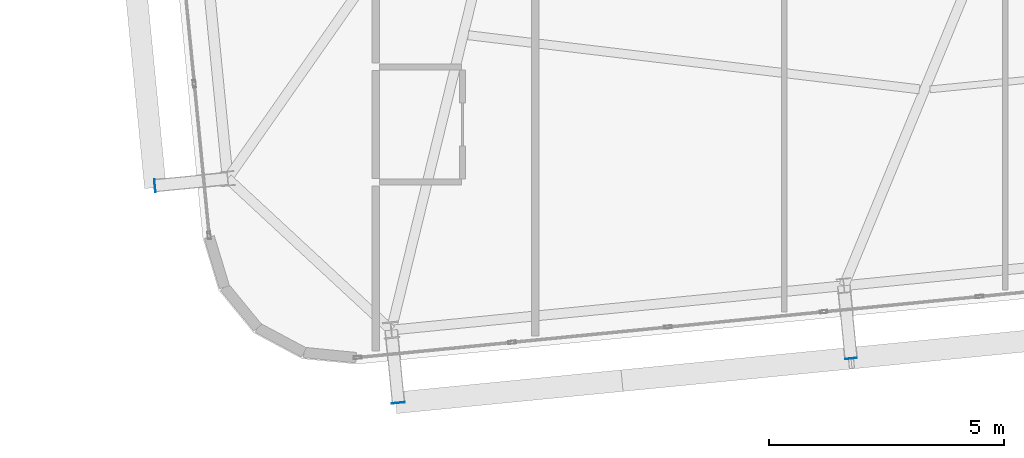
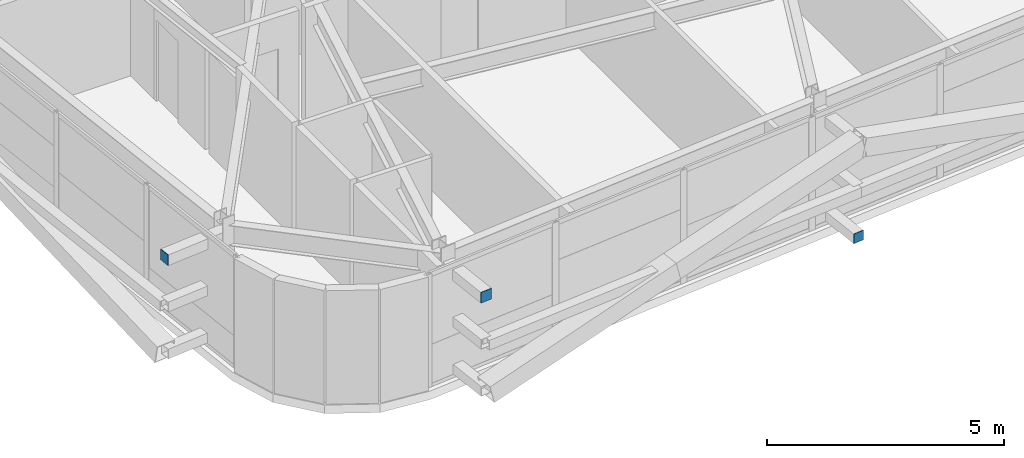
# One storey, part 38 of 54: 3 plates.
"""IFC4 building model written with IfcOpenShell, lengths in metres."""

import ifcopenshell
import ifcopenshell.guid

model = None  # the IFC model being written
_history = None  # IfcOwnerHistory: only IFC2X3 demands one
_inside = {}  # id of a spatial element -> (the spatial element, [elements in it])
_under = {}  # id of a project, library or spatial element -> (it, [spatial elements below it])
_declared = {}  # id of a project -> (the project, [libraries it declares])
_typed = {}  # id of a type object -> (the type object, [elements of that type])
_made_of = {}  # id of a material, layer set ... -> (it, [elements and type objects made of it])


def new_model(schema):
    """Start an empty IFC model of exactly this schema.

    Asked for "IFC4X3", IfcOpenShell would pick the latest addendum, in which some entities
    have other attributes; the version numbers below select the first issue.
    IFC2X3 requires an IfcOwnerHistory on every rooted entity: one is made here for all.
    """
    global model, _history
    if schema == "IFC4X3":
        model = ifcopenshell.file(schema_version=(4, 3, 0, 0))
    else:
        model = ifcopenshell.file(schema=schema)
    _inside.clear()
    _under.clear()
    _declared.clear()
    _typed.clear()
    _made_of.clear()
    _history = None
    if model.schema == "IFC2X3":
        org = make("IfcOrganization", Name="unknown")
        user = make(
            "IfcPersonAndOrganization",
            ThePerson=make("IfcPerson", FamilyName="unknown"),
            TheOrganization=org,
        )
        app = make(
            "IfcApplication",
            ApplicationDeveloper=org,
            Version="unknown",
            ApplicationFullName="unknown",
            ApplicationIdentifier="unknown",
        )
        _history = make(
            "IfcOwnerHistory",
            OwningUser=user,
            OwningApplication=app,
            ChangeAction="ADDED",
            CreationDate=0,
        )
    return model


def make(cls, **values):
    """One entity of the class cls with the attributes given. An attribute that is None is left unset."""
    return model.create_entity(
        cls, **{name: value for name, value in values.items() if value is not None}
    )


def rooted(cls, **values):
    """An entity with a GlobalId (a new one), such as an element, a storey or a relation."""
    return make(cls, GlobalId=ifcopenshell.guid.new(), OwnerHistory=_history, **values)


def si_unit(unit_type, name, prefix=None):
    """IfcSIUnit, for example si_unit("LENGTHUNIT", "METRE", prefix="MILLI")."""
    return make("IfcSIUnit", UnitType=unit_type, Prefix=prefix, Name=name)


def assignment(units):
    """IfcUnitAssignment: the units of a project."""
    return None if units is None else make("IfcUnitAssignment", Units=units)


def point(xyz):
    """IfcCartesianPoint."""
    return None if xyz is None else make("IfcCartesianPoint", Coordinates=xyz)


def direction(xyz):
    """IfcDirection."""
    return None if xyz is None else make("IfcDirection", DirectionRatios=xyz)


def frame(location, z_axis=None, x_axis=None):
    """IfcAxis2Placement3D, a coordinate frame: its origin and axes. An axis left out is left unset."""
    return make(
        "IfcAxis2Placement3D",
        Location=point(location),
        Axis=direction(z_axis),
        RefDirection=direction(x_axis),
    )


def frame_2d(location, x_axis=None):
    """IfcAxis2Placement2D, a coordinate frame in the plane: its origin and x axis."""
    return make(
        "IfcAxis2Placement2D", Location=point(location), RefDirection=direction(x_axis)
    )


def origin():
    """The frame at (0, 0, 0) with its axes left unset."""
    return frame((0.0, 0.0, 0.0))


def origin_2d():
    """The frame at (0, 0) in the plane with its x axis left unset."""
    return frame_2d((0.0, 0.0))


def place(relative_to, where):
    """IfcLocalPlacement: puts the frame where relative to a parent placement (None: the world)."""
    return make(
        "IfcLocalPlacement", PlacementRelTo=relative_to, RelativePlacement=where
    )


def context(
    kind, dimensions, precision=None, world=None, true_north=None, identifier=None
):
    """IfcGeometricRepresentationContext, for example the 3D "Model" context."""
    return make(
        "IfcGeometricRepresentationContext",
        ContextIdentifier=identifier,
        ContextType=kind,
        CoordinateSpaceDimension=dimensions,
        Precision=precision,
        WorldCoordinateSystem=world,
        TrueNorth=true_north,
    )


def subcontext(parent, identifier, kind, view, scale=None):
    """IfcGeometricRepresentationSubContext, for example "Body" below "Model"."""
    return make(
        "IfcGeometricRepresentationSubContext",
        ContextIdentifier=identifier,
        ContextType=kind,
        ParentContext=parent,
        TargetScale=scale,
        TargetView=view,
    )


def project(units=None, contexts=None):
    """IfcProject with its units and contexts."""
    return rooted(
        "IfcProject",
        Name="project",
        RepresentationContexts=contexts,
        UnitsInContext=assignment(units),
    )


def spatial(cls, under=None, at=None, **own):
    """A site, building, storey or space (cls), placed at a placement, below another one or the project."""
    s = rooted(cls, ObjectPlacement=at, **own)
    if under is not None:
        _under.setdefault(under.id(), (under, []))[1].append(s)
    return s


def profile(cls, at=None, kind="AREA", **sizes):
    """A parametric profile (cls). Its sizes go by their IFC names, for example OverallWidth=200.0."""
    return make(cls, ProfileType=kind, Position=at, **sizes)


def rectangle(**sizes):
    """IfcRectangleProfileDef."""
    return profile("IfcRectangleProfileDef", **sizes)


def extrude(swept, where, along, depth):
    """IfcExtrudedAreaSolid: the profile swept, set in the frame where, extruded along a direction by depth."""
    return make(
        "IfcExtrudedAreaSolid",
        SweptArea=swept,
        Position=where,
        ExtrudedDirection=direction(along),
        Depth=depth,
    )


def shape(context_of_items, identifier, shape_type, items):
    """IfcShapeRepresentation: the items that make up one representation, for example the "Body"."""
    return make(
        "IfcShapeRepresentation",
        ContextOfItems=context_of_items,
        RepresentationIdentifier=identifier,
        RepresentationType=shape_type,
        Items=items,
    )


def source(mapping_origin, context_of_items, identifier, shape_type, items):
    """IfcRepresentationMap: a shape defined once, which mapped items show again and again."""
    return make(
        "IfcRepresentationMap",
        MappingOrigin=mapping_origin,
        MappedRepresentation=shape(context_of_items, identifier, shape_type, items),
    )


def transform(
    local_origin,
    x_axis=None,
    y_axis=None,
    z_axis=None,
    scale=None,
    scale2=None,
    scale3=None,
    uniform=True,
):
    """IfcCartesianTransformationOperator3D, or its non-uniform kind. x_axis, y_axis, z_axis: its Axis1, 2, 3."""
    if uniform:
        return make(
            "IfcCartesianTransformationOperator3D",
            Axis1=direction(x_axis),
            Axis2=direction(y_axis),
            LocalOrigin=point(local_origin),
            Scale=scale,
            Axis3=direction(z_axis),
        )
    return make(
        "IfcCartesianTransformationOperator3DnonUniform",
        Axis1=direction(x_axis),
        Axis2=direction(y_axis),
        LocalOrigin=point(local_origin),
        Scale=scale,
        Axis3=direction(z_axis),
        Scale2=scale2,
        Scale3=scale3,
    )


def mapped(mapping_source, mapping_target):
    """IfcMappedItem: shows the shape of a source again, moved by a transform."""
    return make(
        "IfcMappedItem", MappingSource=mapping_source, MappingTarget=mapping_target
    )


def material(Name=None, Category=None):
    """IfcMaterial."""
    return make("IfcMaterial", Name=Name, Category=Category)


def layer(
    of_material, thickness, ventilated=None, Name=None, Category=None, Priority=None
):
    """IfcMaterialLayer: one layer of a wall or slab, of a material (None: an air gap)."""
    return make(
        "IfcMaterialLayer",
        Material=of_material,
        LayerThickness=thickness,
        IsVentilated=ventilated,
        Name=Name,
        Category=Category,
        Priority=Priority,
    )


def layer_set(layers, Name=None):
    """IfcMaterialLayerSet."""
    return make("IfcMaterialLayerSet", MaterialLayers=layers, LayerSetName=Name)


def made_of(thing, what):
    """Note that an element or type object is made of a material, layer set ...; save() writes the relation."""
    if what is not None:
        _made_of.setdefault(what.id(), (what, []))[1].append(thing)
    return thing


def type_object(cls, material=None, **own):
    """A type object (cls), such as IfcWallType, which elements share."""
    return made_of(rooted(cls, **own), material)


def element(
    cls,
    number,
    at=None,
    inside=None,
    cuts=None,
    type_object=None,
    material=None,
    context=None,
    identifier="Body",
    shape_type=None,
    held_by="IfcProductDefinitionShape",
    body=None,
    shapes=None,
    **own,
):
    """One element of the class cls, such as IfcWall. Its Tag is "e" and its number.

    at: its placement. inside: the storey or other place that contains it. cuts: it is an
    opening in that element (IfcRelVoidsElement). A single representation is given by context,
    identifier, shape_type and body (its items); several are given by shapes. held_by: the class
    of the entity that holds the representations. save() writes the other relations.
    """
    e = rooted(cls, Tag="e%d" % number, ObjectPlacement=at, **own)
    if body is not None:
        shapes = [shape(context, identifier, shape_type, body)]
    if shapes is not None:
        e.Representation = make(held_by, Representations=shapes)
    if inside is not None:
        _inside.setdefault(inside.id(), (inside, []))[1].append(e)
    if cuts is not None:
        rooted(
            "IfcRelVoidsElement", RelatingBuildingElement=cuts, RelatedOpeningElement=e
        )
    if type_object is not None:
        _typed.setdefault(type_object.id(), (type_object, []))[1].append(e)
    return made_of(e, material)


def aggregate(whole, parts):
    """IfcRelAggregates: a whole, such as a stair, and the parts it consists of."""
    return rooted("IfcRelAggregates", RelatingObject=whole, RelatedObjects=parts)


def save(model, path):
    """Write the relations noted so far, then the file.

    IfcRelAggregates (storeys below a building ...), IfcRelContainedInSpatialStructure (elements
    in a storey), IfcRelDefinesByType, IfcRelAssociatesMaterial and IfcRelDeclares: one each for
    every whole, place, type object, material and project.
    """
    for whole, parts in _under.values():
        aggregate(whole, parts)
    for where, things in _inside.values():
        rooted(
            "IfcRelContainedInSpatialStructure",
            RelatedElements=things,
            RelatingStructure=where,
        )
    for kind, things in _typed.values():
        rooted("IfcRelDefinesByType", RelatedObjects=things, RelatingType=kind)
    for what, things in _made_of.values():
        rooted("IfcRelAssociatesMaterial", RelatedObjects=things, RelatingMaterial=what)
    for by, libraries in _declared.values():
        rooted("IfcRelDeclares", RelatingContext=by, RelatedDefinitions=libraries)
    model.write(path)


model = new_model("IFC4")

# Units and contexts
model_context = context("Model", 3, precision=1e-05, world=origin(), true_north=direction((0.0, 1.0)))
body_context = subcontext(model_context, "Body", "Model", "MODEL_VIEW")
ifc_project = project(units=[si_unit("LENGTHUNIT", "METRE"), si_unit("AREAUNIT", "SQUARE_METRE"), si_unit("VOLUMEUNIT", "CUBIC_METRE"), si_unit("PLANEANGLEUNIT", "RADIAN"), si_unit("MASSUNIT", "GRAM", prefix="KILO")], contexts=[model_context])

# Site, building, storey
site_placement = place(None, origin())
site = spatial("IfcSite", under=ifc_project, at=site_placement, CompositionType="ELEMENT")
building_placement = place(site_placement, origin())
building = spatial("IfcBuilding", under=site, at=building_placement, Name="Taldren Reach Tower", CompositionType="ELEMENT")
storey_placement = place(building_placement, frame((0.0, 0.0, 99.75)))
storey = spatial("IfcBuildingStorey", under=building, at=storey_placement, Name="L30", CompositionType="ELEMENT", Elevation=99.75)

# Plates
ifc_material_1 = material(Name="Steel Gr 450 (C450L0)", Category="steel")
ifc_layer_1 = layer(ifc_material_1, 0.011962890625)
ifc_layer_set_1 = layer_set([ifc_layer_1], Name="Steel Gr 450 (C450L0)")
plate_type_1 = type_object("IfcPlateType", Name="PL-CAP-275", PredefinedType="SHEET", material=ifc_layer_set_1)
shared_shape_1 = source(origin(), body_context, "Body", "SweptSolid", [
    extrude(rectangle(XDim=0.27490234375, YDim=0.011962890625, at=origin_2d()), origin(), (0.0, 0.0, 1.0), 0.27490234375),
])
plate_1_placement = place(storey_placement, frame((15.0859375, -1.62841796875, 2.512451171875), z_axis=(0.0, 0.0, 1.0), x_axis=(0.995227399982, 0.097582899759, 0.0)))
element("IfcPlate", 1, at=plate_1_placement, inside=storey, type_object=plate_type_1, Name="Tie strut end cap plate B2-S1 L30", PredefinedType="SHEET", context=body_context, shape_type="MappedRepresentation", body=[
    mapped(shared_shape_1, transform((0.0, 0.0, 0.0), scale=1.0)),
])
shared_shape_2 = source(origin(), body_context, "Body", "SweptSolid", [
    extrude(rectangle(XDim=0.011962890625, YDim=0.27490234375, at=origin_2d()), origin(), (0.0, 0.0, 1.0), 0.27490234375),
])
plate_2_placement = place(storey_placement, frame((9.904296875, 2.993896484375, 2.512451171875), z_axis=(0.0, 0.0, 1.0), x_axis=(0.995227399982, 0.097582899759, 0.0)))
element("IfcPlate", 2, at=plate_2_placement, inside=storey, type_object=plate_type_1, Name="Tie strut end cap plate B2-W1 L30", PredefinedType="SHEET", context=body_context, shape_type="MappedRepresentation", body=[
    mapped(shared_shape_2, transform((0.0, 0.0, 0.0), scale=1.0)),
])
ifc_material_2 = material(Name="Steel Gr 350 (C350L0)", Category="steel")
ifc_layer_2 = layer(ifc_material_2, 0.011962890625)
ifc_layer_set_2 = layer_set([ifc_layer_2], Name="Steel Gr 350 (C350L0)")
plate_type_2 = type_object("IfcPlateType", Name="PL-CAP-250", PredefinedType="SHEET", material=ifc_layer_set_2)
shared_shape_3 = source(origin(), body_context, "Body", "SweptSolid", [
    extrude(rectangle(XDim=0.25, YDim=0.011962890625, at=origin_2d()), origin(), (0.0, 0.0, 1.0), 0.25),
])
plate_3_placement = place(storey_placement, frame((24.7197265625, -0.683837890625, 0.094970703125), z_axis=(0.0, 0.0, 1.0), x_axis=(0.995227399982, 0.097582899759, 0.0)))
element("IfcPlate", 3, at=plate_3_placement, inside=storey, type_object=plate_type_2, Name="Tie strut end cap plate B2-S2 L30", PredefinedType="SHEET", context=body_context, shape_type="MappedRepresentation", body=[
    mapped(shared_shape_3, transform((0.0, 0.0, 0.0), scale=1.0)),
])

save(model, "model.ifc")
